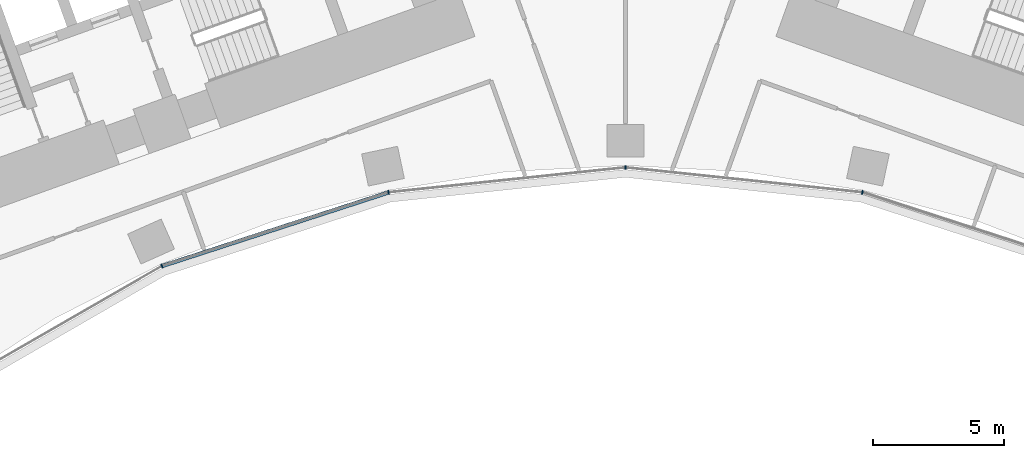
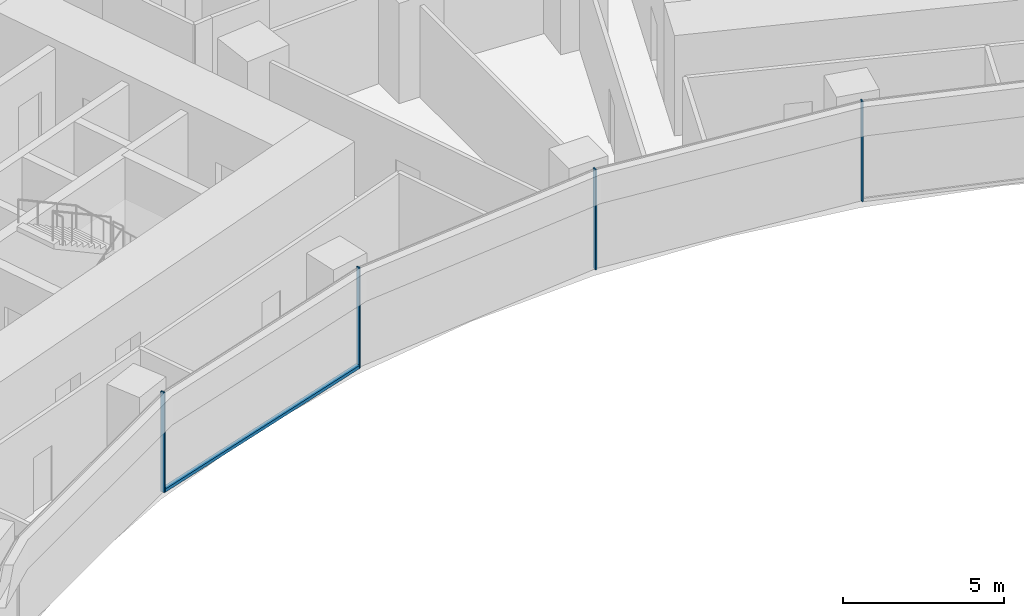
# One storey, part 5 of 21: 5 members, 1 element without a shape of its own.
"""IFC4 building model written with IfcOpenShell, lengths in metres."""

from ifc_helpers import new_model, si_unit, direction, frame, origin, origin_2d, place, context, subcontext, project, spatial, rectangle, extrude, material, layer, layer_set, material_profile, profile_set, type_object, element, aggregate, save


model = new_model("IFC4")

# Units and contexts
model_context = context("Model", 3, precision=1e-05, world=origin(), true_north=direction((0.0, 1.0)))
body_context = subcontext(model_context, "Body", "Model", "MODEL_VIEW")
ifc_project = project(units=[si_unit("LENGTHUNIT", "METRE"), si_unit("AREAUNIT", "SQUARE_METRE"), si_unit("VOLUMEUNIT", "CUBIC_METRE"), si_unit("PLANEANGLEUNIT", "RADIAN"), si_unit("MASSUNIT", "GRAM", prefix="KILO")], contexts=[model_context])

# Site, building, storey
site_placement = place(None, origin())
site = spatial("IfcSite", under=ifc_project, at=site_placement, CompositionType="ELEMENT")
building_placement = place(site_placement, origin())
building = spatial("IfcBuilding", under=site, at=building_placement, Name="Stone Belt Terrace Tower", CompositionType="ELEMENT")
storey_placement = place(building_placement, frame((0.0, 0.0, 37.60009765625)))
storey = spatial("IfcBuildingStorey", under=building, at=storey_placement, Name="L08", CompositionType="ELEMENT", Elevation=37.60009765625)

# Curtain wall, members
ifc_material = material(Name="Aluminium 6063-T6 anodised frame", Category="aluminium")
ifc_layer = layer(ifc_material, 0.14990234375)
ifc_layer_set = layer_set([ifc_layer], Name="CW-B unitised concave-face curtain wall")
curtain_wall_type = type_object("IfcCurtainWallType", Name="CW-B unitised concave-face curtain wall", PredefinedType="NOTDEFINED", material=ifc_layer_set)
curtain_wall_placement = place(storey_placement, origin())
curtain_wall = element("IfcCurtainWall", 1, at=curtain_wall_placement, inside=storey, type_object=curtain_wall_type, Name="CW-B concave face L08", PredefinedType="NOTDEFINED")
ifc_material_profile_1 = material_profile(ifc_material, rectangle(XDim=0.14990234375, YDim=0.050048828125, at=origin_2d()), Name="Aluminium 6063-T6 50x150")
ifc_profile_set_1 = profile_set([ifc_material_profile_1], Name="Aluminium 6063-T6 anodised frame")
member_type_1 = type_object("IfcMemberType", Name="CW-B mullion 50 x 150", PredefinedType="MULLION", material=ifc_profile_set_1)
member_1_placement = place(storey_placement, frame((-17.662353515625, 39.67041015625, 0.0), z_axis=(0.0, 0.0, 1.0), x_axis=(-0.406736643076, 0.913545457643, 0.0)))
member_1 = element("IfcMember", 2, at=member_1_placement, type_object=member_type_1, Name="CW-B mullion 4", PredefinedType="MULLION", context=body_context, shape_type="SweptSolid", body=[
    extrude(rectangle(XDim=0.14990234375, YDim=0.050048828125, at=origin_2d()), origin(), (0.0, 0.0, 1.0), 3.7998046875),
])
member_2_placement = place(storey_placement, frame((-9.028564453125, 42.4755859375, 0.0), z_axis=(0.0, 0.0, 1.0), x_axis=(-0.207911690818, 0.978147600734, 0.0)))
member_2 = element("IfcMember", 3, at=member_2_placement, type_object=member_type_1, Name="CW-B mullion 5", PredefinedType="MULLION", context=body_context, shape_type="SweptSolid", body=[
    extrude(rectangle(XDim=0.14990234375, YDim=0.050048828125, at=origin_2d()), origin(), (0.0, 0.0, 1.0), 3.7998046875),
])
member_3_placement = place(storey_placement, frame((0.0, 43.424560546875, 0.0), z_axis=(0.0, 0.0, 1.0), x_axis=(0.0, 1.0, 0.0)))
member_3 = element("IfcMember", 4, at=member_3_placement, type_object=member_type_1, Name="CW-B mullion 6", PredefinedType="MULLION", context=body_context, shape_type="SweptSolid", body=[
    extrude(rectangle(XDim=0.14990234375, YDim=0.050048828125, at=origin_2d()), origin(), (0.0, 0.0, 1.0), 3.7998046875),
])
member_4_placement = place(storey_placement, frame((9.028564453125, 42.4755859375, 0.0), z_axis=(0.0, 0.0, 1.0), x_axis=(0.207911690818, 0.978147600734, 0.0)))
member_4 = element("IfcMember", 5, at=member_4_placement, type_object=member_type_1, Name="CW-B mullion 7", PredefinedType="MULLION", context=body_context, shape_type="SweptSolid", body=[
    extrude(rectangle(XDim=0.14990234375, YDim=0.050048828125, at=origin_2d()), origin(), (0.0, 0.0, 1.0), 3.7998046875),
])
ifc_material_profile_2 = material_profile(ifc_material, rectangle(XDim=0.14990234375, YDim=0.1201171875, at=origin_2d()), Name="Aluminium 6063-T6 150x120")
ifc_profile_set_2 = profile_set([ifc_material_profile_2], Name="Aluminium 6063-T6 anodised frame")
member_type_2 = type_object("IfcMemberType", Name="CW-B transom 120 x 150", PredefinedType="USERDEFINED", material=ifc_profile_set_2)
member_5_placement = place(storey_placement, frame((-17.63134765625, 39.680419921875, 0.059814453125), z_axis=(0.951055963285, 0.309018696359, 0.0), x_axis=(-0.309018696359, 0.951055963285, 0.0)))
member_5 = element("IfcMember", 6, at=member_5_placement, type_object=member_type_2, Name="CW-B transom 4.1", ObjectType="TRANSOM", PredefinedType="USERDEFINED", context=body_context, shape_type="SweptSolid", body=[
    extrude(rectangle(XDim=0.14990234375, YDim=0.1201171875, at=origin_2d()), origin(), (0.0, 0.0, 1.0), 9.012939453125),
])
aggregate(curtain_wall, [member_1, member_2, member_3, member_4, member_5])

save(model, "model.ifc")
